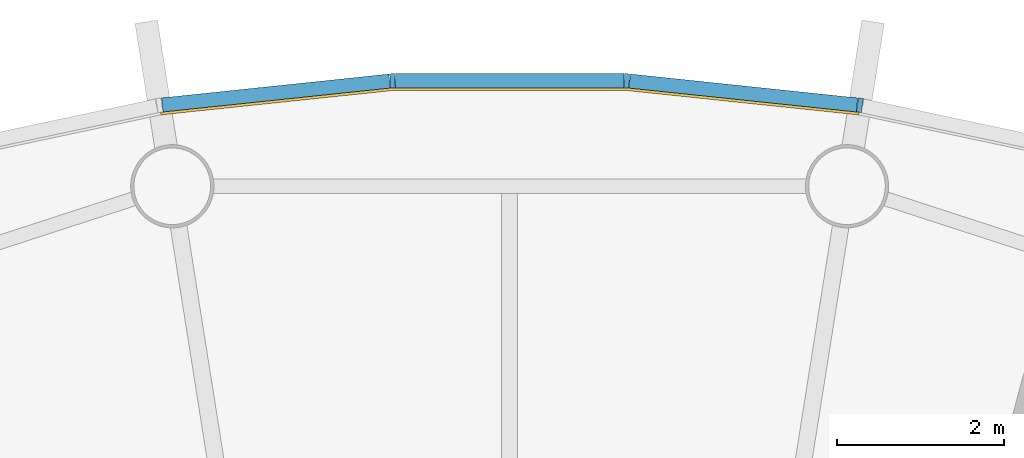
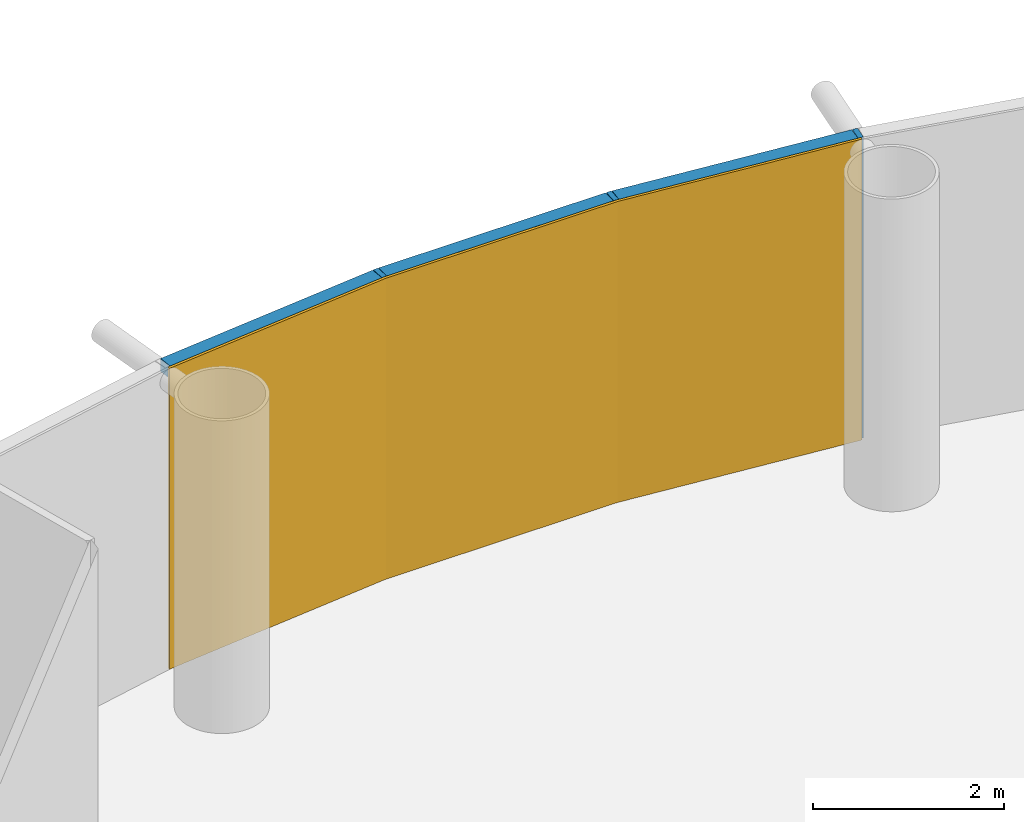
# One storey, part 10 of 12: 6 members, 1 curtain wall.
"""IFC4 building model written with IfcOpenShell, lengths in metres."""

from ifc_helpers import new_model, si_unit, direction, frame, origin, origin_2d, place, context, subcontext, project, spatial, polyline, rectangle, outline, extrude, material, layer, layer_set, material_profile, profile_set, type_object, element, aggregate, save


model = new_model("IFC4")

# Units and contexts
model_context = context("Model", 3, precision=1e-05, world=origin(), true_north=direction((0.0, 1.0)))
body_context = subcontext(model_context, "Body", "Model", "MODEL_VIEW")
ifc_project = project(units=[si_unit("LENGTHUNIT", "METRE"), si_unit("AREAUNIT", "SQUARE_METRE"), si_unit("VOLUMEUNIT", "CUBIC_METRE"), si_unit("PLANEANGLEUNIT", "RADIAN"), si_unit("MASSUNIT", "GRAM", prefix="KILO")], contexts=[model_context])

# Member
ifc_material_1 = material(Name="Anodised aluminium", Category="aluminium")
ifc_material_profile_1 = material_profile(ifc_material_1, rectangle(XDim=0.06005859375, YDim=0.169921875, at=origin_2d()), Name="Mullion 60 x 170 mm anodised aluminium")
ifc_profile_set_1 = profile_set([ifc_material_profile_1], Name="Anodised aluminium")
member_type_1 = type_object("IfcMemberType", Name="Mullion 60 x 170 mm anodised aluminium", PredefinedType="MULLION", material=ifc_profile_set_1)
site_placement = place(None, origin())
building_placement = place(site_placement, origin())
storey_placement = place(building_placement, frame((0.0, 0.0, 214.0)))
member_1_placement = place(storey_placement, frame((94.205810546875, 106.553955078125, 0.0), z_axis=(0.0, 0.0, 1.0), x_axis=(-0.987688340595, 0.15643446504, 0.0)))
member_1 = element("IfcMember", 1, at=member_1_placement, type_object=member_type_1, Name="MULLION L49-12", PredefinedType="MULLION", context=body_context, shape_type="SweptSolid", body=[
    extrude(rectangle(XDim=0.06005859375, YDim=0.169921875, at=origin_2d()), origin(), (0.0, 0.0, 1.0), 3.85009765625),
])

member_2_placement = place(storey_placement, frame((91.406982421875, 106.84814453125, 0.0), z_axis=(0.0, 0.0, 1.0), x_axis=(-0.998629534755, 0.052335956243, 0.0)))
member_2 = element("IfcMember", 2, at=member_2_placement, type_object=member_type_1, Name="MULLION L49-13", PredefinedType="MULLION", context=body_context, shape_type="SweptSolid", body=[
    extrude(rectangle(XDim=0.06005859375, YDim=0.169921875, at=origin_2d()), origin(), (0.0, 0.0, 1.0), 3.85009765625),
])

member_3_placement = place(storey_placement, frame((88.593017578125, 106.84814453125, 0.0), z_axis=(0.0, 0.0, 1.0), x_axis=(-0.998629534755, -0.052335956243, 0.0)))
member_3 = element("IfcMember", 3, at=member_3_placement, type_object=member_type_1, Name="MULLION L49-14", PredefinedType="MULLION", context=body_context, shape_type="SweptSolid", body=[
    extrude(rectangle(XDim=0.06005859375, YDim=0.169921875, at=origin_2d()), origin(), (0.0, 0.0, 1.0), 3.85009765625),
])

ifc_material_2 = material(Name="Anodised aluminium", Category="aluminium")
ifc_material_profile_2 = material_profile(ifc_material_2, rectangle(XDim=0.169921875, YDim=0.1650390625, at=origin_2d()), Name="Transom 165 x 170 mm anodised aluminium")
ifc_profile_set_2 = profile_set([ifc_material_profile_2], Name="Anodised aluminium")
member_type_2 = type_object("IfcMemberType", Name="Transom 165 x 170 mm anodised aluminium", PredefinedType="USERDEFINED", material=ifc_profile_set_2)
member_4_placement = place(storey_placement, frame((94.17138671875, 106.5576171875, 3.767578125), z_axis=(-0.994515195344, 0.104592190102, 0.0), x_axis=(-0.104592190102, -0.994515195344, 0.0)))
member_4 = element("IfcMember", 4, at=member_4_placement, type_object=member_type_2, Name="TRANSOM L49-12", ObjectType="TRANSOM", PredefinedType="USERDEFINED", context=body_context, shape_type="SweptSolid", body=[
    extrude(rectangle(XDim=0.169921875, YDim=0.1650390625, at=origin_2d()), origin(), (0.0, 0.0, 1.0), 2.7451171875),
])

member_5_placement = place(storey_placement, frame((91.37255859375, 106.848388671875, 3.767578125), z_axis=(-1.0, 0.0, 0.0), x_axis=(0.0, -1.0, 0.0)))
member_5 = element("IfcMember", 5, at=member_5_placement, type_object=member_type_2, Name="TRANSOM L49-13", ObjectType="TRANSOM", PredefinedType="USERDEFINED", context=body_context, shape_type="SweptSolid", body=[
    extrude(rectangle(XDim=0.169921875, YDim=0.1650390625, at=origin_2d()), origin(), (0.0, 0.0, 1.0), 2.7451171875),
])

member_6_placement = place(storey_placement, frame((88.55859375, 106.8447265625, 3.767578125), z_axis=(-0.994515195344, -0.104592190102, 0.0), x_axis=(0.104592190102, -0.994515195344, 0.0)))
member_6 = element("IfcMember", 6, at=member_6_placement, type_object=member_type_2, Name="TRANSOM L49-14", ObjectType="TRANSOM", PredefinedType="USERDEFINED", context=body_context, shape_type="SweptSolid", body=[
    extrude(rectangle(XDim=0.169921875, YDim=0.1650390625, at=origin_2d()), origin(), (0.0, 0.0, 1.0), 2.7451171875),
])

# Site, building, storey
site = spatial("IfcSite", under=ifc_project, at=site_placement, CompositionType="ELEMENT")
building = spatial("IfcBuilding", under=site, at=building_placement, Name="Entoto Ring Tower", CompositionType="ELEMENT")
storey = spatial("IfcBuildingStorey", under=building, at=storey_placement, Name="L49", CompositionType="ELEMENT", Elevation=214.0)

# Curtain wall
ifc_material_3 = material(Name="Clear low-iron glass", Category="glass")
ifc_layer = layer(ifc_material_3, 0.031982421875)
ifc_layer_set = layer_set([ifc_layer], Name="Clear low-iron glass")
curtain_wall_type = type_object("IfcCurtainWallType", Name="Curtain wall system CW4 glazing 32 mm", PredefinedType="NOTDEFINED", material=ifc_layer_set)
curtain_wall_placement = place(storey_placement, origin())
curtain_wall = element("IfcCurtainWall", 7, at=curtain_wall_placement, inside=storey, type_object=curtain_wall_type, Name="CW4 L49-05", PredefinedType="NOTDEFINED", context=body_context, shape_type="SweptSolid", body=[
    extrude(outline(polyline([(94.1923828125, 106.469970703125), (91.402587890625, 106.76318359375), (88.597412109375, 106.76318359375), (85.8076171875, 106.469970703125), (85.8125, 106.4384765625), (88.59912109375, 106.731201171875), (91.40087890625, 106.731201171875), (94.1875, 106.4384765625), (94.1923828125, 106.469970703125)])), origin(), (0.0, 0.0, 1.0), 3.85009765625),
])

aggregate(curtain_wall, [member_1, member_2, member_3, member_4, member_5, member_6])

save(model, "model.ifc")
